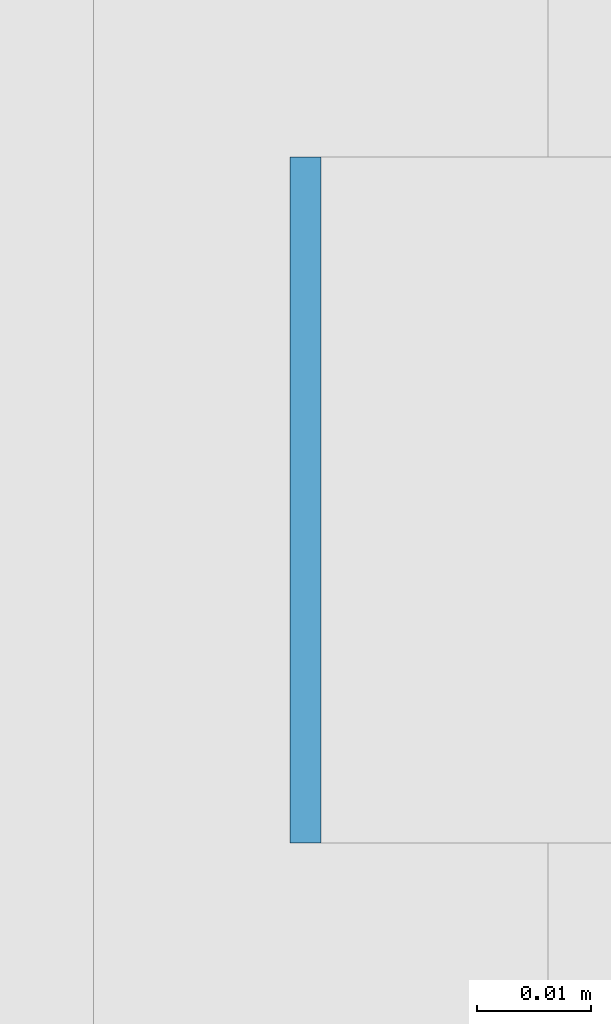
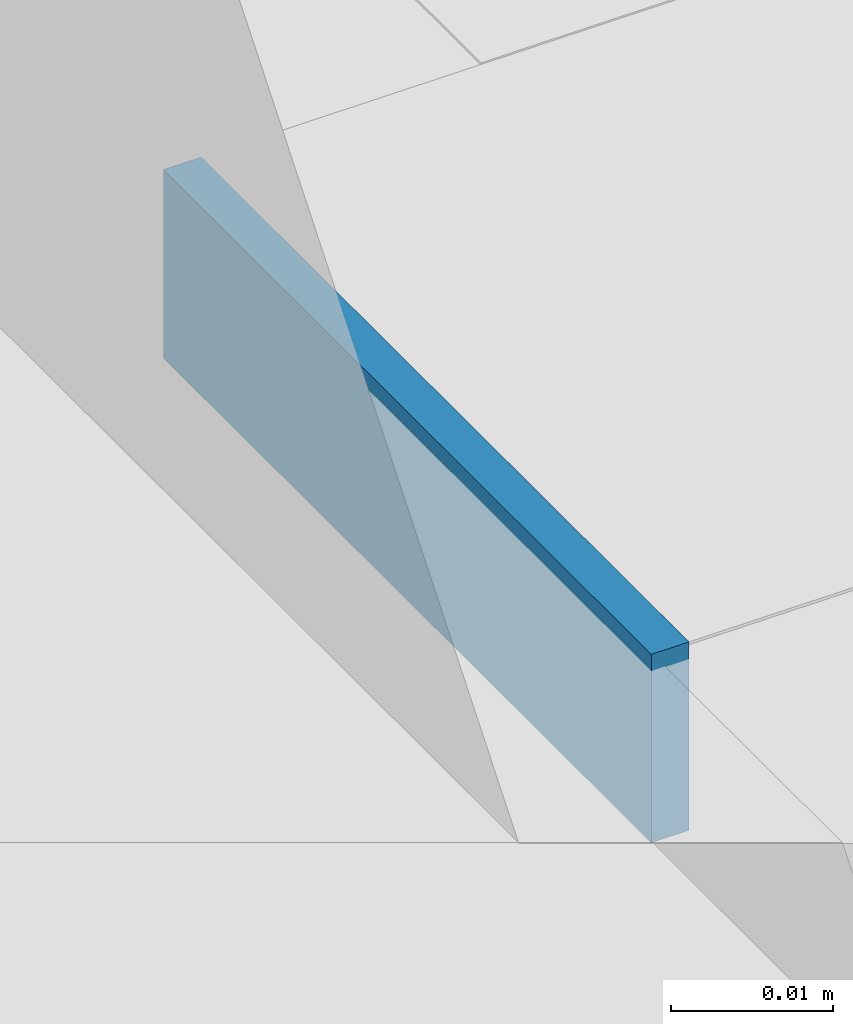
# One storey, part 607 of 646: 1 discrete accessory.
"""IFC4 building model written with IfcOpenShell, lengths in metres."""

from ifc_helpers import new_model, si_unit, direction, frame, origin, origin_2d, place, context, subcontext, project, spatial, rectangle, extrude, material, type_object, element, save


model = new_model("IFC4")

# Units and contexts
model_context = context("Model", 3, precision=1e-05, world=origin(), true_north=direction((0.0, 1.0)))
body_context = subcontext(model_context, "Body", "Model", "MODEL_VIEW")
ifc_project = project(units=[si_unit("LENGTHUNIT", "METRE"), si_unit("AREAUNIT", "SQUARE_METRE"), si_unit("VOLUMEUNIT", "CUBIC_METRE"), si_unit("PLANEANGLEUNIT", "RADIAN"), si_unit("MASSUNIT", "GRAM", prefix="KILO")], contexts=[model_context])

# Site, building, storey
site_placement = place(None, origin())
site = spatial("IfcSite", under=ifc_project, at=site_placement, CompositionType="ELEMENT")
building_placement = place(site_placement, origin())
building = spatial("IfcBuilding", under=site, at=building_placement, Name="Silverbay Arena", CompositionType="ELEMENT")
storey_placement = place(building_placement, frame((0.0, 0.0, 33.5)))
storey = spatial("IfcBuildingStorey", under=building, at=storey_placement, Name="L05", CompositionType="ELEMENT", Elevation=33.5)

# Discrete accessory
ifc_material = material(Name="Steel S355", Category="steel")
discrete_accessory_type = type_object("IfcDiscreteAccessoryType", Name="Steel bracket plate", PredefinedType="BRACKET", material=ifc_material)
discrete_accessory_placement = place(storey_placement, frame((207.128662109375, 127.433349609375, 12.98583984375), z_axis=(0.0, 0.0, 1.0), x_axis=(1.0, 0.0, 0.0)))
element("IfcDiscreteAccessory", 1, at=discrete_accessory_placement, inside=storey, type_object=discrete_accessory_type, Name="Curtain wall packing plate", PredefinedType="BRACKET", context=body_context, shape_type="SweptSolid", body=[
    extrude(rectangle(XDim=0.002685546875, YDim=0.06005859375, at=origin_2d()), origin(), (0.0, 0.0, 1.0), 0.01416015625),
])

save(model, "model.ifc")
